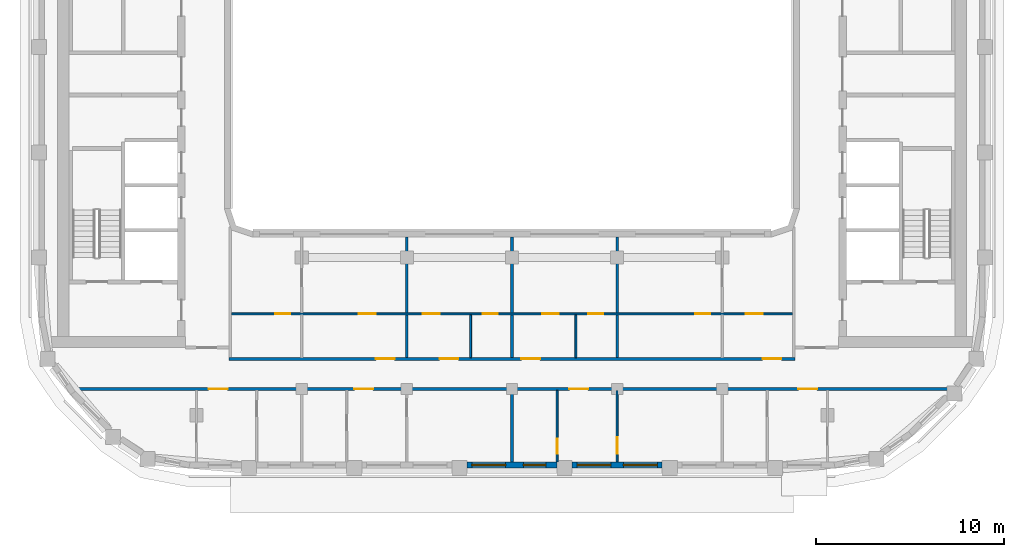
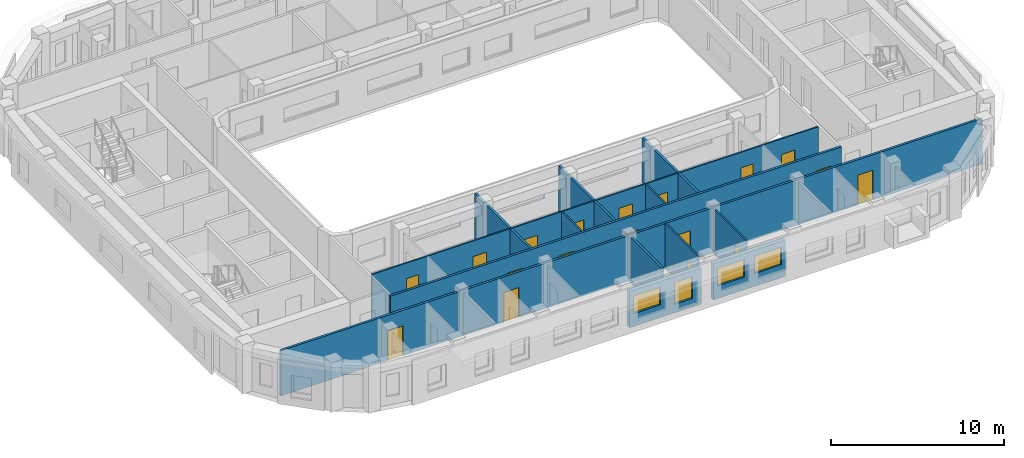
# One storey, part 3 of 16: 18 doors, 16 walls, 4 windows, 22 openings.
"""IFC4 building model written with IfcOpenShell, lengths in metres."""

from ifc_helpers import new_model, si_unit, direction, frame, frame_2d, origin, place, context, subcontext, project, spatial, rectangle, extrude, material, layer, layer_set, type_object, element, fill, save


model = new_model("IFC4")

# Units and contexts
model_context = context("Model", 3, precision=1e-05, world=origin(), true_north=direction((0.0, 1.0)))
body_context = subcontext(model_context, "Body", "Model", "MODEL_VIEW")
ifc_project = project(units=[si_unit("LENGTHUNIT", "METRE"), si_unit("AREAUNIT", "SQUARE_METRE"), si_unit("VOLUMEUNIT", "CUBIC_METRE"), si_unit("PLANEANGLEUNIT", "RADIAN"), si_unit("MASSUNIT", "GRAM", prefix="KILO")], contexts=[model_context])

# Site, building, storey
site_placement = place(None, origin())
site = spatial("IfcSite", under=ifc_project, at=site_placement, CompositionType="ELEMENT")
building_placement = place(site_placement, origin())
building = spatial("IfcBuilding", under=site, at=building_placement, Name="Kiln Ring Residences", CompositionType="ELEMENT")
storey_placement = place(building_placement, frame((0.0, 0.0, 259.199951171875)))
storey = spatial("IfcBuildingStorey", under=building, at=storey_placement, Name="L67", CompositionType="ELEMENT", Elevation=259.199951171875)

# Wall, openings, windows
ifc_material_1 = material(Name="Brick masonry, dark clay brick", Category="masonry")
ifc_layer_1 = layer(ifc_material_1, 0.300048828125)
ifc_layer_set_1 = layer_set([ifc_layer_1], Name="EW-300 BRICK WALL")
wall_type_1 = type_object("IfcWallType", Name="EW-300 BRICK WALL", PredefinedType="SOLIDWALL", material=ifc_layer_set_1)
wall_1_placement = place(storey_placement, frame((-2.39990234375, -19.449951171875, 0.0), z_axis=(0.0, 0.0, 1.0), x_axis=(1.0, 0.0, 0.0)))
wall_1 = element("IfcWall", 1, at=wall_1_placement, inside=storey, type_object=wall_type_1, Name="Facade wall L67 7", PredefinedType="SOLIDWALL", context=body_context, shape_type="SweptSolid", body=[
    extrude(rectangle(XDim=4.7998046875, YDim=0.300048828125, at=frame_2d((2.39990234375, 0.0))), origin(), (0.0, 0.0, 1.0), 2.550048828125),
])
opening_1_placement = place(wall_1_placement, frame((0.262451171875, 0.0, 0.89990234375)))
opening_1 = element("IfcOpeningElement", 2, at=opening_1_placement, cuts=wall_1, Name="Opening W2", PredefinedType="OPENING", context=body_context, shape_type="SweptSolid", body=[
    extrude(rectangle(XDim=1.800048828125, YDim=1.25, at=frame_2d((0.89990234375, 0.625))), frame((0.0, 0.159912109375, 0.0), z_axis=(0.0, -1.0, 0.0), x_axis=(1.0, 0.0, 0.0)), (0.0, 0.0, 1.0), 0.320068359375),
])
opening_2_placement = place(wall_1_placement, frame((3.0, 0.0, 0.60009765625)))
opening_2 = element("IfcOpeningElement", 3, at=opening_2_placement, cuts=wall_1, Name="Opening W1", PredefinedType="OPENING", context=body_context, shape_type="SweptSolid", body=[
    extrude(rectangle(XDim=1.199951171875, YDim=1.550048828125, at=frame_2d((0.60009765625, 0.77490234375))), frame((0.0, 0.159912109375, 0.0), z_axis=(0.0, -1.0, 0.0), x_axis=(1.0, 0.0, 0.0)), (0.0, 0.0, 1.0), 0.320068359375),
])
ifc_material_2 = material(Name="Aluminium frame with double glazing", Category="aluminium")
window_type_1 = type_object("IfcWindowType", Name="WINDOW 1200 x 1550", PartitioningType="SINGLE_PANEL", PredefinedType="WINDOW", material=ifc_material_2)
window_1_placement = place(opening_2_placement, origin())
window_1 = element("IfcWindow", 4, at=window_1_placement, inside=storey, type_object=window_type_1, Name="Window L67 9", OverallHeight=1.550048828125, OverallWidth=1.199951171875, PartitioningType="SINGLE_PANEL", PredefinedType="WINDOW", context=body_context, shape_type="SweptSolid", body=[
    extrude(rectangle(XDim=1.199951171875, YDim=1.550048828125, at=frame_2d((0.60009765625, 0.77490234375))), frame((0.0, 0.030029296875, 0.0), z_axis=(0.0, -1.0, 0.0), x_axis=(1.0, 0.0, 0.0)), (0.0, 0.0, 1.0), 0.06005859375),
])
fill(opening_2, window_1)
ifc_material_3 = material(Name="Aluminium frame with double glazing", Category="aluminium")
window_type_2 = type_object("IfcWindowType", Name="WINDOW 1800 x 1250", PartitioningType="SINGLE_PANEL", PredefinedType="WINDOW", material=ifc_material_3)
window_2_placement = place(opening_1_placement, origin())
window_2 = element("IfcWindow", 5, at=window_2_placement, inside=storey, type_object=window_type_2, Name="Window L67 8", OverallHeight=1.25, OverallWidth=1.800048828125, PartitioningType="SINGLE_PANEL", PredefinedType="WINDOW", context=body_context, shape_type="SweptSolid", body=[
    extrude(rectangle(XDim=1.800048828125, YDim=1.25, at=frame_2d((0.89990234375, 0.625))), frame((0.0, 0.030029296875, 0.0), z_axis=(0.0, -1.0, 0.0), x_axis=(1.0, 0.0, 0.0)), (0.0, 0.0, 1.0), 0.06005859375),
])
fill(opening_1, window_2)

wall_2_placement = place(storey_placement, frame((3.199951171875, -19.449951171875, 0.0), z_axis=(0.0, 0.0, 1.0), x_axis=(1.0, 0.0, 0.0)))
wall_2 = element("IfcWall", 6, at=wall_2_placement, inside=storey, type_object=wall_type_1, Name="Facade wall L67 8", PredefinedType="SOLIDWALL", context=body_context, shape_type="SweptSolid", body=[
    extrude(rectangle(XDim=4.800048828125, YDim=0.300048828125, at=frame_2d((2.39990234375, 0.0))), origin(), (0.0, 0.0, 1.0), 2.550048828125),
])
opening_3_placement = place(wall_2_placement, frame((0.262451171875, 0.0, 0.89990234375)))
opening_3 = element("IfcOpeningElement", 7, at=opening_3_placement, cuts=wall_2, Name="Opening W2", PredefinedType="OPENING", context=body_context, shape_type="SweptSolid", body=[
    extrude(rectangle(XDim=1.800048828125, YDim=1.25, at=frame_2d((0.89990234375, 0.625))), frame((0.0, 0.159912109375, 0.0), z_axis=(0.0, -1.0, 0.0), x_axis=(1.0, 0.0, 0.0)), (0.0, 0.0, 1.0), 0.320068359375),
])
opening_4_placement = place(wall_2_placement, frame((2.737548828125, 0.0, 0.89990234375)))
opening_4 = element("IfcOpeningElement", 8, at=opening_4_placement, cuts=wall_2, Name="Opening W2", PredefinedType="OPENING", context=body_context, shape_type="SweptSolid", body=[
    extrude(rectangle(XDim=1.800048828125, YDim=1.25, at=frame_2d((0.89990234375, 0.625))), frame((0.0, 0.159912109375, 0.0), z_axis=(0.0, -1.0, 0.0), x_axis=(1.0, 0.0, 0.0)), (0.0, 0.0, 1.0), 0.320068359375),
])
window_3_placement = place(opening_3_placement, origin())
window_3 = element("IfcWindow", 9, at=window_3_placement, inside=storey, type_object=window_type_2, Name="Window L67 10", OverallHeight=1.25, OverallWidth=1.800048828125, PartitioningType="SINGLE_PANEL", PredefinedType="WINDOW", context=body_context, shape_type="SweptSolid", body=[
    extrude(rectangle(XDim=1.800048828125, YDim=1.25, at=frame_2d((0.89990234375, 0.625))), frame((0.0, 0.030029296875, 0.0), z_axis=(0.0, -1.0, 0.0), x_axis=(1.0, 0.0, 0.0)), (0.0, 0.0, 1.0), 0.06005859375),
])
fill(opening_3, window_3)
window_4_placement = place(opening_4_placement, origin())
window_4 = element("IfcWindow", 10, at=window_4_placement, inside=storey, type_object=window_type_2, Name="Window L67 11", OverallHeight=1.25, OverallWidth=1.800048828125, PartitioningType="SINGLE_PANEL", PredefinedType="WINDOW", context=body_context, shape_type="SweptSolid", body=[
    extrude(rectangle(XDim=1.800048828125, YDim=1.25, at=frame_2d((0.89990234375, 0.625))), frame((0.0, 0.030029296875, 0.0), z_axis=(0.0, -1.0, 0.0), x_axis=(1.0, 0.0, 0.0)), (0.0, 0.0, 1.0), 0.06005859375),
])
fill(opening_4, window_4)

# Wall, openings, doors
ifc_material_4 = material(Name="Gypsum board on steel studs", Category="steel")
ifc_layer_2 = layer(ifc_material_4, 0.10009765625)
ifc_layer_set_2 = layer_set([ifc_layer_2], Name="PARTITION-100")
wall_type_2 = type_object("IfcWallType", Name="PARTITION-100", PredefinedType="PARTITIONING", material=ifc_layer_set_2)
wall_3_placement = place(storey_placement, frame((-14.925048828125, -11.39990234375, 0.0), z_axis=(0.0, 0.0, 1.0), x_axis=(1.0, 0.0, 0.0)))
wall_3 = element("IfcWall", 11, at=wall_3_placement, inside=storey, type_object=wall_type_2, Name="Partition 004", PredefinedType="PARTITIONING", context=body_context, shape_type="SweptSolid", body=[
    extrude(rectangle(XDim=29.85009765625, YDim=0.10009765625, at=frame_2d((14.925048828125, 0.0))), origin(), (0.0, 0.0, 1.0), 3.199951171875),
])
opening_5_placement = place(wall_3_placement, frame((2.325927734375, 0.0, 0.0)))
opening_5 = element("IfcOpeningElement", 12, at=opening_5_placement, cuts=wall_3, Name="Opening L67-D032", PredefinedType="OPENING", context=body_context, shape_type="SweptSolid", body=[
    extrude(rectangle(XDim=0.800048828125, YDim=2.10009765625, at=frame_2d((0.39990234375, 1.050048828125))), frame((0.0, 0.06005859375, 0.0), z_axis=(0.0, -1.0, 0.0), x_axis=(1.0, 0.0, 0.0)), (0.0, 0.0, 1.0), 0.1201171875),
])
opening_6_placement = place(wall_3_placement, frame((6.77490234375, 0.0, 0.0)))
opening_6 = element("IfcOpeningElement", 13, at=opening_6_placement, cuts=wall_3, Name="Opening L67-D033", PredefinedType="OPENING", context=body_context, shape_type="SweptSolid", body=[
    extrude(rectangle(XDim=0.89990234375, YDim=2.10009765625, at=frame_2d((0.449951171875, 1.050048828125))), frame((0.0, 0.06005859375, 0.0), z_axis=(0.0, -1.0, 0.0), x_axis=(1.0, 0.0, 0.0)), (0.0, 0.0, 1.0), 0.1201171875),
])
opening_7_placement = place(wall_3_placement, frame((13.375, 0.0, 0.0)))
opening_7 = element("IfcOpeningElement", 14, at=opening_7_placement, cuts=wall_3, Name="Opening L67-D036", PredefinedType="OPENING", context=body_context, shape_type="SweptSolid", body=[
    extrude(rectangle(XDim=0.800048828125, YDim=2.10009765625, at=frame_2d((0.39990234375, 1.050048828125))), frame((0.0, 0.06005859375, 0.0), z_axis=(0.0, -1.0, 0.0), x_axis=(1.0, 0.0, 0.0)), (0.0, 0.0, 1.0), 0.1201171875),
])
opening_8_placement = place(wall_3_placement, frame((10.175048828125, 0.0, 0.0)))
opening_8 = element("IfcOpeningElement", 15, at=opening_8_placement, cuts=wall_3, Name="Opening L67-D037", PredefinedType="OPENING", context=body_context, shape_type="SweptSolid", body=[
    extrude(rectangle(XDim=0.89990234375, YDim=2.10009765625, at=frame_2d((0.449951171875, 1.050048828125))), frame((0.0, 0.06005859375, 0.0), z_axis=(0.0, -1.0, 0.0), x_axis=(1.0, 0.0, 0.0)), (0.0, 0.0, 1.0), 0.1201171875),
])
opening_9_placement = place(wall_3_placement, frame((18.97509765625, 0.0, 0.0)))
opening_9 = element("IfcOpeningElement", 16, at=opening_9_placement, cuts=wall_3, Name="Opening L67-D039", PredefinedType="OPENING", context=body_context, shape_type="SweptSolid", body=[
    extrude(rectangle(XDim=0.800048828125, YDim=2.10009765625, at=frame_2d((0.39990234375, 1.050048828125))), frame((0.0, 0.06005859375, 0.0), z_axis=(0.0, -1.0, 0.0), x_axis=(1.0, 0.0, 0.0)), (0.0, 0.0, 1.0), 0.1201171875),
])
opening_10_placement = place(wall_3_placement, frame((16.52490234375, 0.0, 0.0)))
opening_10 = element("IfcOpeningElement", 17, at=opening_10_placement, cuts=wall_3, Name="Opening L67-D040", PredefinedType="OPENING", context=body_context, shape_type="SweptSolid", body=[
    extrude(rectangle(XDim=0.89990234375, YDim=2.10009765625, at=frame_2d((0.449951171875, 1.050048828125))), frame((0.0, 0.06005859375, 0.0), z_axis=(0.0, -1.0, 0.0), x_axis=(1.0, 0.0, 0.0)), (0.0, 0.0, 1.0), 0.1201171875),
])
opening_11_placement = place(wall_3_placement, frame((24.675048828125, 0.0, 0.0)))
opening_11 = element("IfcOpeningElement", 18, at=opening_11_placement, cuts=wall_3, Name="Opening L67-D042", PredefinedType="OPENING", context=body_context, shape_type="SweptSolid", body=[
    extrude(rectangle(XDim=0.800048828125, YDim=2.10009765625, at=frame_2d((0.39990234375, 1.050048828125))), frame((0.0, 0.06005859375, 0.0), z_axis=(0.0, -1.0, 0.0), x_axis=(1.0, 0.0, 0.0)), (0.0, 0.0, 1.0), 0.1201171875),
])
opening_12_placement = place(wall_3_placement, frame((27.3740234375, 0.0, 0.0)))
opening_12 = element("IfcOpeningElement", 19, at=opening_12_placement, cuts=wall_3, Name="Opening L67-D043", PredefinedType="OPENING", context=body_context, shape_type="SweptSolid", body=[
    extrude(rectangle(XDim=0.89990234375, YDim=2.10009765625, at=frame_2d((0.449951171875, 1.050048828125))), frame((0.0, 0.06005859375, 0.0), z_axis=(0.0, -1.0, 0.0), x_axis=(1.0, 0.0, 0.0)), (0.0, 0.0, 1.0), 0.1201171875),
])
ifc_material_5 = material(Name="Timber door leaf", Category="wood")
door_type_1 = type_object("IfcDoorType", Name="FLAT-DOOR-800-PL", OperationType="SINGLE_SWING_LEFT", PredefinedType="DOOR", material=ifc_material_5)
door_1_placement = place(opening_5_placement, origin())
door_1 = element("IfcDoor", 20, at=door_1_placement, inside=storey, type_object=door_type_1, Name="Door L67-D032", OperationType="SINGLE_SWING_RIGHT", OverallHeight=2.10009765625, OverallWidth=0.800048828125, PredefinedType="DOOR", context=body_context, shape_type="SweptSolid", body=[
    extrude(rectangle(XDim=0.800048828125, YDim=2.10009765625, at=frame_2d((0.39990234375, 1.050048828125))), frame((0.0, 0.02490234375, 0.0), z_axis=(0.0, -1.0, 0.0), x_axis=(1.0, 0.0, 0.0)), (0.0, 0.0, 1.0), 0.050048828125),
])
fill(opening_5, door_1)
door_2_placement = place(opening_7_placement, origin())
door_2 = element("IfcDoor", 21, at=door_2_placement, inside=storey, type_object=door_type_1, Name="Door L67-D036", OperationType="SINGLE_SWING_RIGHT", OverallHeight=2.10009765625, OverallWidth=0.800048828125, PredefinedType="DOOR", context=body_context, shape_type="SweptSolid", body=[
    extrude(rectangle(XDim=0.800048828125, YDim=2.10009765625, at=frame_2d((0.39990234375, 1.050048828125))), frame((0.0, 0.02490234375, 0.0), z_axis=(0.0, -1.0, 0.0), x_axis=(1.0, 0.0, 0.0)), (0.0, 0.0, 1.0), 0.050048828125),
])
fill(opening_7, door_2)
door_3_placement = place(opening_9_placement, origin())
door_3 = element("IfcDoor", 22, at=door_3_placement, inside=storey, type_object=door_type_1, Name="Door L67-D039", OperationType="SINGLE_SWING_LEFT", OverallHeight=2.10009765625, OverallWidth=0.800048828125, PredefinedType="DOOR", context=body_context, shape_type="SweptSolid", body=[
    extrude(rectangle(XDim=0.800048828125, YDim=2.10009765625, at=frame_2d((0.39990234375, 1.050048828125))), frame((0.0, 0.02490234375, 0.0), z_axis=(0.0, -1.0, 0.0), x_axis=(1.0, 0.0, 0.0)), (0.0, 0.0, 1.0), 0.050048828125),
])
fill(opening_9, door_3)
door_4_placement = place(opening_11_placement, origin())
door_4 = element("IfcDoor", 23, at=door_4_placement, inside=storey, type_object=door_type_1, Name="Door L67-D042", OperationType="SINGLE_SWING_RIGHT", OverallHeight=2.10009765625, OverallWidth=0.800048828125, PredefinedType="DOOR", context=body_context, shape_type="SweptSolid", body=[
    extrude(rectangle(XDim=0.800048828125, YDim=2.10009765625, at=frame_2d((0.39990234375, 1.050048828125))), frame((0.0, 0.02490234375, 0.0), z_axis=(0.0, -1.0, 0.0), x_axis=(1.0, 0.0, 0.0)), (0.0, 0.0, 1.0), 0.050048828125),
])
fill(opening_11, door_4)
ifc_material_6 = material(Name="Timber door leaf", Category="wood")
door_type_2 = type_object("IfcDoorType", Name="FLAT-DOOR-900-PL", OperationType="SINGLE_SWING_LEFT", PredefinedType="DOOR", material=ifc_material_6)
door_5_placement = place(opening_6_placement, origin())
door_5 = element("IfcDoor", 24, at=door_5_placement, inside=storey, type_object=door_type_2, Name="Door L67-D033", OperationType="SINGLE_SWING_LEFT", OverallHeight=2.10009765625, OverallWidth=0.89990234375, PredefinedType="DOOR", context=body_context, shape_type="SweptSolid", body=[
    extrude(rectangle(XDim=0.89990234375, YDim=2.10009765625, at=frame_2d((0.449951171875, 1.050048828125))), frame((0.0, 0.02490234375, 0.0), z_axis=(0.0, -1.0, 0.0), x_axis=(1.0, 0.0, 0.0)), (0.0, 0.0, 1.0), 0.050048828125),
])
fill(opening_6, door_5)
door_6_placement = place(opening_8_placement, origin())
door_6 = element("IfcDoor", 25, at=door_6_placement, inside=storey, type_object=door_type_2, Name="Door L67-D037", OperationType="SINGLE_SWING_RIGHT", OverallHeight=2.10009765625, OverallWidth=0.89990234375, PredefinedType="DOOR", context=body_context, shape_type="SweptSolid", body=[
    extrude(rectangle(XDim=0.89990234375, YDim=2.10009765625, at=frame_2d((0.449951171875, 1.050048828125))), frame((0.0, 0.02490234375, 0.0), z_axis=(0.0, -1.0, 0.0), x_axis=(1.0, 0.0, 0.0)), (0.0, 0.0, 1.0), 0.050048828125),
])
fill(opening_8, door_6)
door_7_placement = place(opening_10_placement, origin())
door_7 = element("IfcDoor", 26, at=door_7_placement, inside=storey, type_object=door_type_2, Name="Door L67-D040", OperationType="SINGLE_SWING_LEFT", OverallHeight=2.10009765625, OverallWidth=0.89990234375, PredefinedType="DOOR", context=body_context, shape_type="SweptSolid", body=[
    extrude(rectangle(XDim=0.89990234375, YDim=2.10009765625, at=frame_2d((0.449951171875, 1.050048828125))), frame((0.0, 0.02490234375, 0.0), z_axis=(0.0, -1.0, 0.0), x_axis=(1.0, 0.0, 0.0)), (0.0, 0.0, 1.0), 0.050048828125),
])
fill(opening_10, door_7)
door_8_placement = place(opening_12_placement, origin())
door_8 = element("IfcDoor", 27, at=door_8_placement, inside=storey, type_object=door_type_2, Name="Door L67-D043", OperationType="SINGLE_SWING_RIGHT", OverallHeight=2.10009765625, OverallWidth=0.89990234375, PredefinedType="DOOR", context=body_context, shape_type="SweptSolid", body=[
    extrude(rectangle(XDim=0.89990234375, YDim=2.10009765625, at=frame_2d((0.449951171875, 1.050048828125))), frame((0.0, 0.02490234375, 0.0), z_axis=(0.0, -1.0, 0.0), x_axis=(1.0, 0.0, 0.0)), (0.0, 0.0, 1.0), 0.050048828125),
])
fill(opening_12, door_8)

# Wall
wall_4_placement = place(storey_placement, frame((-2.199951171875, -13.72509765625, 0.0), z_axis=(0.0, 0.0, 1.0), x_axis=(0.0, 1.0, 0.0)))
element("IfcWall", 28, at=wall_4_placement, inside=storey, type_object=wall_type_2, Name="Partition 031", PredefinedType="PARTITIONING", context=body_context, shape_type="SweptSolid", body=[
    extrude(rectangle(XDim=2.275146484375, YDim=0.10009765625, at=frame_2d((1.1376953125, 0.0))), origin(), (0.0, 0.0, 1.0), 3.199951171875),
])

# Wall, opening, door
wall_5_placement = place(storey_placement, frame((2.39990234375, -19.280029296875, 0.0), z_axis=(0.0, 0.0, 1.0), x_axis=(0.0, 1.0, 0.0)))
wall_5 = element("IfcWall", 29, at=wall_5_placement, inside=storey, type_object=wall_type_2, Name="Partition 038", PredefinedType="PARTITIONING", context=body_context, shape_type="SweptSolid", body=[
    extrude(rectangle(XDim=3.804931640625, YDim=0.10009765625, at=frame_2d((1.90234375, 0.0))), origin(), (0.0, 0.0, 1.0), 3.199951171875),
])
opening_13_placement = place(wall_5_placement, frame((0.428955078125, 0.0, 0.0)))
opening_13 = element("IfcOpeningElement", 30, at=opening_13_placement, cuts=wall_5, Name="Opening L67-D052", PredefinedType="OPENING", context=body_context, shape_type="SweptSolid", body=[
    extrude(rectangle(XDim=0.800048828125, YDim=2.10009765625, at=frame_2d((0.39990234375, 1.050048828125))), frame((0.0, 0.06005859375, 0.0), z_axis=(0.0, -1.0, 0.0), x_axis=(1.0, 0.0, 0.0)), (0.0, 0.0, 1.0), 0.1201171875),
])
door_9_placement = place(opening_13_placement, origin())
door_9 = element("IfcDoor", 31, at=door_9_placement, inside=storey, type_object=door_type_1, Name="Door L67-D052", OperationType="SINGLE_SWING_RIGHT", OverallHeight=2.10009765625, OverallWidth=0.800048828125, PredefinedType="DOOR", context=body_context, shape_type="SweptSolid", body=[
    extrude(rectangle(XDim=0.800048828125, YDim=2.10009765625, at=frame_2d((0.39990234375, 1.050048828125))), frame((0.0, 0.02490234375, 0.0), z_axis=(0.0, -1.0, 0.0), x_axis=(1.0, 0.0, 0.0)), (0.0, 0.0, 1.0), 0.050048828125),
])
fill(opening_13, door_9)

# Wall
wall_6_placement = place(storey_placement, frame((3.39990234375, -13.72509765625, 0.0), z_axis=(0.0, 0.0, 1.0), x_axis=(0.0, 1.0, 0.0)))
element("IfcWall", 32, at=wall_6_placement, inside=storey, type_object=wall_type_2, Name="Partition 040", PredefinedType="PARTITIONING", context=body_context, shape_type="SweptSolid", body=[
    extrude(rectangle(XDim=2.275146484375, YDim=0.10009765625, at=frame_2d((1.1376953125, 0.0))), origin(), (0.0, 0.0, 1.0), 3.199951171875),
])

# Wall, opening, door
wall_7_placement = place(storey_placement, frame((5.60009765625, -19.280029296875, 0.0), z_axis=(0.0, 0.0, 1.0), x_axis=(0.0, 1.0, 0.0)))
wall_7 = element("IfcWall", 33, at=wall_7_placement, inside=storey, type_object=wall_type_2, Name="Partition 041", PredefinedType="PARTITIONING", context=body_context, shape_type="SweptSolid", body=[
    extrude(rectangle(XDim=3.804931640625, YDim=0.10009765625, at=frame_2d((1.90234375, 0.0))), origin(), (0.0, 0.0, 1.0), 3.199951171875),
])
opening_14_placement = place(wall_7_placement, frame((0.419921875, 0.0, 0.0)))
opening_14 = element("IfcOpeningElement", 34, at=opening_14_placement, cuts=wall_7, Name="Opening L67-D053", PredefinedType="OPENING", context=body_context, shape_type="SweptSolid", body=[
    extrude(rectangle(XDim=0.89990234375, YDim=2.10009765625, at=frame_2d((0.449951171875, 1.050048828125))), frame((0.0, 0.06005859375, 0.0), z_axis=(0.0, -1.0, 0.0), x_axis=(1.0, 0.0, 0.0)), (0.0, 0.0, 1.0), 0.1201171875),
])
door_10_placement = place(opening_14_placement, origin())
door_10 = element("IfcDoor", 35, at=door_10_placement, inside=storey, type_object=door_type_2, Name="Door L67-D053", OperationType="SINGLE_SWING_LEFT", OverallHeight=2.10009765625, OverallWidth=0.89990234375, PredefinedType="DOOR", context=body_context, shape_type="SweptSolid", body=[
    extrude(rectangle(XDim=0.89990234375, YDim=2.10009765625, at=frame_2d((0.449951171875, 1.050048828125))), frame((0.0, 0.02490234375, 0.0), z_axis=(0.0, -1.0, 0.0), x_axis=(1.0, 0.0, 0.0)), (0.0, 0.0, 1.0), 0.050048828125),
])
fill(opening_14, door_10)

# Wall, openings, doors
ifc_material_7 = material(Name="Brick masonry partition", Category="masonry")
ifc_layer_3 = layer(ifc_material_7, 0.14990234375)
ifc_layer_set_3 = layer_set([ifc_layer_3], Name="PARTITION-150-ei60")
wall_type_3 = type_object("IfcWallType", Name="PARTITION-150-ei60", PredefinedType="PARTITIONING", material=ifc_layer_set_3)
wall_8_placement = place(storey_placement, frame((-23.322021484375, -15.39990234375, 0.0), z_axis=(0.0, 0.0, 1.0), x_axis=(1.0, 0.0, 0.0)))
wall_8 = element("IfcWall", 36, at=wall_8_placement, inside=storey, type_object=wall_type_3, Name="Partition 000", PredefinedType="PARTITIONING", context=body_context, shape_type="SweptSolid", body=[
    extrude(rectangle(XDim=46.8720703125, YDim=0.14990234375, at=frame_2d((23.43603515625, 0.0))), origin(), (0.0, 0.0, 1.0), 3.199951171875),
])
opening_15_placement = place(wall_8_placement, frame((7.172119140625, 0.0, 0.0)))
opening_15 = element("IfcOpeningElement", 37, at=opening_15_placement, cuts=wall_8, Name="Opening L67-D045", PredefinedType="OPENING", context=body_context, shape_type="SweptSolid", body=[
    extrude(rectangle(XDim=1.0, YDim=2.10009765625, at=frame_2d((0.5, 1.050048828125))), frame((0.0, 0.0849609375, 0.0), z_axis=(0.0, -1.0, 0.0), x_axis=(1.0, 0.0, 0.0)), (0.0, 0.0, 1.0), 0.169921875),
])
opening_16_placement = place(wall_8_placement, frame((14.922119140625, 0.0, 0.0)))
opening_16 = element("IfcOpeningElement", 38, at=opening_16_placement, cuts=wall_8, Name="Opening L67-D048", PredefinedType="OPENING", context=body_context, shape_type="SweptSolid", body=[
    extrude(rectangle(XDim=1.0, YDim=2.10009765625, at=frame_2d((0.5, 1.050048828125))), frame((0.0, 0.0849609375, 0.0), z_axis=(0.0, -1.0, 0.0), x_axis=(1.0, 0.0, 0.0)), (0.0, 0.0, 1.0), 0.169921875),
])
opening_17_placement = place(wall_8_placement, frame((26.3720703125, 0.0, 0.0)))
opening_17 = element("IfcOpeningElement", 39, at=opening_17_placement, cuts=wall_8, Name="Opening L67-D051", PredefinedType="OPENING", context=body_context, shape_type="SweptSolid", body=[
    extrude(rectangle(XDim=1.0, YDim=2.10009765625, at=frame_2d((0.5, 1.050048828125))), frame((0.0, 0.0849609375, 0.0), z_axis=(0.0, -1.0, 0.0), x_axis=(1.0, 0.0, 0.0)), (0.0, 0.0, 1.0), 0.169921875),
])
opening_18_placement = place(wall_8_placement, frame((38.572021484375, 0.0, 0.0)))
opening_18 = element("IfcOpeningElement", 40, at=opening_18_placement, cuts=wall_8, Name="Opening L67-D054", PredefinedType="OPENING", context=body_context, shape_type="SweptSolid", body=[
    extrude(rectangle(XDim=1.0, YDim=2.10009765625, at=frame_2d((0.5, 1.050048828125))), frame((0.0, 0.0849609375, 0.0), z_axis=(0.0, -1.0, 0.0), x_axis=(1.0, 0.0, 0.0)), (0.0, 0.0, 1.0), 0.169921875),
])
ifc_material_8 = material(Name="Steel faced fire door leaf", Category="steel")
door_type_3 = type_object("IfcDoorType", Name="FLAT-DOOR-1000-FR", OperationType="SINGLE_SWING_LEFT", PredefinedType="DOOR", material=ifc_material_8)
door_11_placement = place(opening_15_placement, origin())
door_11 = element("IfcDoor", 41, at=door_11_placement, inside=storey, type_object=door_type_3, Name="Door L67-D045", OperationType="SINGLE_SWING_LEFT", OverallHeight=2.10009765625, OverallWidth=1.0, PredefinedType="DOOR", context=body_context, shape_type="SweptSolid", body=[
    extrude(rectangle(XDim=1.0, YDim=2.10009765625, at=frame_2d((0.5, 1.050048828125))), frame((0.0, 0.02490234375, 0.0), z_axis=(0.0, -1.0, 0.0), x_axis=(1.0, 0.0, 0.0)), (0.0, 0.0, 1.0), 0.050048828125),
])
fill(opening_15, door_11)
door_12_placement = place(opening_16_placement, origin())
door_12 = element("IfcDoor", 42, at=door_12_placement, inside=storey, type_object=door_type_3, Name="Door L67-D048", OperationType="SINGLE_SWING_LEFT", OverallHeight=2.10009765625, OverallWidth=1.0, PredefinedType="DOOR", context=body_context, shape_type="SweptSolid", body=[
    extrude(rectangle(XDim=1.0, YDim=2.10009765625, at=frame_2d((0.5, 1.050048828125))), frame((0.0, 0.02490234375, 0.0), z_axis=(0.0, -1.0, 0.0), x_axis=(1.0, 0.0, 0.0)), (0.0, 0.0, 1.0), 0.050048828125),
])
fill(opening_16, door_12)
door_13_placement = place(opening_17_placement, origin())
door_13 = element("IfcDoor", 43, at=door_13_placement, inside=storey, type_object=door_type_3, Name="Door L67-D051", OperationType="SINGLE_SWING_LEFT", OverallHeight=2.10009765625, OverallWidth=1.0, PredefinedType="DOOR", context=body_context, shape_type="SweptSolid", body=[
    extrude(rectangle(XDim=1.0, YDim=2.10009765625, at=frame_2d((0.5, 1.050048828125))), frame((0.0, 0.02490234375, 0.0), z_axis=(0.0, -1.0, 0.0), x_axis=(1.0, 0.0, 0.0)), (0.0, 0.0, 1.0), 0.050048828125),
])
fill(opening_17, door_13)
door_14_placement = place(opening_18_placement, origin())
door_14 = element("IfcDoor", 44, at=door_14_placement, inside=storey, type_object=door_type_3, Name="Door L67-D054", OperationType="SINGLE_SWING_RIGHT", OverallHeight=2.10009765625, OverallWidth=1.0, PredefinedType="DOOR", context=body_context, shape_type="SweptSolid", body=[
    extrude(rectangle(XDim=1.0, YDim=2.10009765625, at=frame_2d((0.5, 1.050048828125))), frame((0.0, 0.02490234375, 0.0), z_axis=(0.0, -1.0, 0.0), x_axis=(1.0, 0.0, 0.0)), (0.0, 0.0, 1.0), 0.050048828125),
])
fill(opening_18, door_14)

wall_9_placement = place(storey_placement, frame((-15.074951171875, -13.800048828125, 0.0), z_axis=(0.0, 0.0, 1.0), x_axis=(1.0, 0.0, 0.0)))
wall_9 = element("IfcWall", 45, at=wall_9_placement, inside=storey, type_object=wall_type_3, Name="Partition 001", PredefinedType="PARTITIONING", context=body_context, shape_type="SweptSolid", body=[
    extrude(rectangle(XDim=30.14990234375, YDim=0.14990234375, at=frame_2d((15.074951171875, 0.0))), origin(), (0.0, 0.0, 1.0), 3.199951171875),
])
opening_19_placement = place(wall_9_placement, frame((7.824951171875, 0.0, 0.0)))
opening_19 = element("IfcOpeningElement", 46, at=opening_19_placement, cuts=wall_9, Name="Opening L67-D031", PredefinedType="OPENING", context=body_context, shape_type="SweptSolid", body=[
    extrude(rectangle(XDim=1.0, YDim=2.10009765625, at=frame_2d((0.5, 1.050048828125))), frame((0.0, 0.0849609375, 0.0), z_axis=(0.0, -1.0, 0.0), x_axis=(1.0, 0.0, 0.0)), (0.0, 0.0, 1.0), 0.169921875),
])
opening_20_placement = place(wall_9_placement, frame((11.22509765625, 0.0, 0.0)))
opening_20 = element("IfcOpeningElement", 47, at=opening_20_placement, cuts=wall_9, Name="Opening L67-D035", PredefinedType="OPENING", context=body_context, shape_type="SweptSolid", body=[
    extrude(rectangle(XDim=1.0, YDim=2.10009765625, at=frame_2d((0.5, 1.050048828125))), frame((0.0, 0.0849609375, 0.0), z_axis=(0.0, -1.0, 0.0), x_axis=(1.0, 0.0, 0.0)), (0.0, 0.0, 1.0), 0.169921875),
])
opening_21_placement = place(wall_9_placement, frame((15.574951171875, 0.0, 0.0)))
opening_21 = element("IfcOpeningElement", 48, at=opening_21_placement, cuts=wall_9, Name="Opening L67-D038", PredefinedType="OPENING", context=body_context, shape_type="SweptSolid", body=[
    extrude(rectangle(XDim=1.0, YDim=2.10009765625, at=frame_2d((0.5, 1.050048828125))), frame((0.0, 0.0849609375, 0.0), z_axis=(0.0, -1.0, 0.0), x_axis=(1.0, 0.0, 0.0)), (0.0, 0.0, 1.0), 0.169921875),
])
opening_22_placement = place(wall_9_placement, frame((28.424072265625, 0.0, 0.0)))
opening_22 = element("IfcOpeningElement", 49, at=opening_22_placement, cuts=wall_9, Name="Opening L67-D041", PredefinedType="OPENING", context=body_context, shape_type="SweptSolid", body=[
    extrude(rectangle(XDim=1.0, YDim=2.10009765625, at=frame_2d((0.5, 1.050048828125))), frame((0.0, 0.0849609375, 0.0), z_axis=(0.0, -1.0, 0.0), x_axis=(1.0, 0.0, 0.0)), (0.0, 0.0, 1.0), 0.169921875),
])
door_15_placement = place(opening_19_placement, origin())
door_15 = element("IfcDoor", 50, at=door_15_placement, inside=storey, type_object=door_type_3, Name="Door L67-D031", OperationType="SINGLE_SWING_LEFT", OverallHeight=2.10009765625, OverallWidth=1.0, PredefinedType="DOOR", context=body_context, shape_type="SweptSolid", body=[
    extrude(rectangle(XDim=1.0, YDim=2.10009765625, at=frame_2d((0.5, 1.050048828125))), frame((0.0, 0.02490234375, 0.0), z_axis=(0.0, -1.0, 0.0), x_axis=(1.0, 0.0, 0.0)), (0.0, 0.0, 1.0), 0.050048828125),
])
fill(opening_19, door_15)
door_16_placement = place(opening_20_placement, origin())
door_16 = element("IfcDoor", 51, at=door_16_placement, inside=storey, type_object=door_type_3, Name="Door L67-D035", OperationType="SINGLE_SWING_LEFT", OverallHeight=2.10009765625, OverallWidth=1.0, PredefinedType="DOOR", context=body_context, shape_type="SweptSolid", body=[
    extrude(rectangle(XDim=1.0, YDim=2.10009765625, at=frame_2d((0.5, 1.050048828125))), frame((0.0, 0.02490234375, 0.0), z_axis=(0.0, -1.0, 0.0), x_axis=(1.0, 0.0, 0.0)), (0.0, 0.0, 1.0), 0.050048828125),
])
fill(opening_20, door_16)
door_17_placement = place(opening_21_placement, origin())
door_17 = element("IfcDoor", 52, at=door_17_placement, inside=storey, type_object=door_type_3, Name="Door L67-D038", OperationType="SINGLE_SWING_RIGHT", OverallHeight=2.10009765625, OverallWidth=1.0, PredefinedType="DOOR", context=body_context, shape_type="SweptSolid", body=[
    extrude(rectangle(XDim=1.0, YDim=2.10009765625, at=frame_2d((0.5, 1.050048828125))), frame((0.0, 0.02490234375, 0.0), z_axis=(0.0, -1.0, 0.0), x_axis=(1.0, 0.0, 0.0)), (0.0, 0.0, 1.0), 0.050048828125),
])
fill(opening_21, door_17)
door_18_placement = place(opening_22_placement, origin())
door_18 = element("IfcDoor", 53, at=door_18_placement, inside=storey, type_object=door_type_3, Name="Door L67-D041", OperationType="SINGLE_SWING_LEFT", OverallHeight=2.10009765625, OverallWidth=1.0, PredefinedType="DOOR", context=body_context, shape_type="SweptSolid", body=[
    extrude(rectangle(XDim=1.0, YDim=2.10009765625, at=frame_2d((0.5, 1.050048828125))), frame((0.0, 0.02490234375, 0.0), z_axis=(0.0, -1.0, 0.0), x_axis=(1.0, 0.0, 0.0)), (0.0, 0.0, 1.0), 0.050048828125),
])
fill(opening_22, door_18)

# Walls
wall_10_placement = place(storey_placement, frame((-5.60009765625, -13.72509765625, 0.0), z_axis=(0.0, 0.0, 1.0), x_axis=(0.0, 1.0, 0.0)))
element("IfcWall", 54, at=wall_10_placement, inside=storey, type_object=wall_type_3, Name="Partition 025", PredefinedType="PARTITIONING", context=body_context, shape_type="SweptSolid", body=[
    extrude(rectangle(XDim=2.275146484375, YDim=0.14990234375, at=frame_2d((1.1376953125, 0.0))), origin(), (0.0, 0.0, 1.0), 3.199951171875),
])
wall_11_placement = place(storey_placement, frame((-5.60009765625, -11.35009765625, 0.0), z_axis=(0.0, 0.0, 1.0), x_axis=(0.0, 1.0, 0.0)))
element("IfcWall", 55, at=wall_11_placement, inside=storey, type_object=wall_type_3, Name="Partition 026", PredefinedType="PARTITIONING", context=body_context, shape_type="SweptSolid", body=[
    extrude(rectangle(XDim=4.030029296875, YDim=0.14990234375, at=frame_2d((2.01513671875, 0.0))), origin(), (0.0, 0.0, 1.0), 3.199951171875),
])
wall_12_placement = place(storey_placement, frame((0.0, -19.280029296875, 0.0), z_axis=(0.0, 0.0, 1.0), x_axis=(0.0, 1.0, 0.0)))
element("IfcWall", 56, at=wall_12_placement, inside=storey, type_object=wall_type_3, Name="Partition 034", PredefinedType="PARTITIONING", context=body_context, shape_type="SweptSolid", body=[
    extrude(rectangle(XDim=3.804931640625, YDim=0.14990234375, at=frame_2d((1.90234375, 0.0))), origin(), (0.0, 0.0, 1.0), 3.199951171875),
])
wall_13_placement = place(storey_placement, frame((0.0, -13.72509765625, 0.0), z_axis=(0.0, 0.0, 1.0), x_axis=(0.0, 1.0, 0.0)))
element("IfcWall", 57, at=wall_13_placement, inside=storey, type_object=wall_type_3, Name="Partition 035", PredefinedType="PARTITIONING", context=body_context, shape_type="SweptSolid", body=[
    extrude(rectangle(XDim=2.275146484375, YDim=0.14990234375, at=frame_2d((1.1376953125, 0.0))), origin(), (0.0, 0.0, 1.0), 3.199951171875),
])
wall_14_placement = place(storey_placement, frame((0.0, -11.35009765625, 0.0), z_axis=(0.0, 0.0, 1.0), x_axis=(0.0, 1.0, 0.0)))
element("IfcWall", 58, at=wall_14_placement, inside=storey, type_object=wall_type_3, Name="Partition 036", PredefinedType="PARTITIONING", context=body_context, shape_type="SweptSolid", body=[
    extrude(rectangle(XDim=4.030029296875, YDim=0.14990234375, at=frame_2d((2.01513671875, 0.0))), origin(), (0.0, 0.0, 1.0), 3.199951171875),
])
wall_15_placement = place(storey_placement, frame((5.60009765625, -13.72509765625, 0.0), z_axis=(0.0, 0.0, 1.0), x_axis=(0.0, 1.0, 0.0)))
element("IfcWall", 59, at=wall_15_placement, inside=storey, type_object=wall_type_3, Name="Partition 043", PredefinedType="PARTITIONING", context=body_context, shape_type="SweptSolid", body=[
    extrude(rectangle(XDim=2.275146484375, YDim=0.14990234375, at=frame_2d((1.1376953125, 0.0))), origin(), (0.0, 0.0, 1.0), 3.199951171875),
])
wall_16_placement = place(storey_placement, frame((5.60009765625, -11.35009765625, 0.0), z_axis=(0.0, 0.0, 1.0), x_axis=(0.0, 1.0, 0.0)))
element("IfcWall", 60, at=wall_16_placement, inside=storey, type_object=wall_type_3, Name="Partition 044", PredefinedType="PARTITIONING", context=body_context, shape_type="SweptSolid", body=[
    extrude(rectangle(XDim=4.030029296875, YDim=0.14990234375, at=frame_2d((2.01513671875, 0.0))), origin(), (0.0, 0.0, 1.0), 3.199951171875),
])

save(model, "model.ifc")
